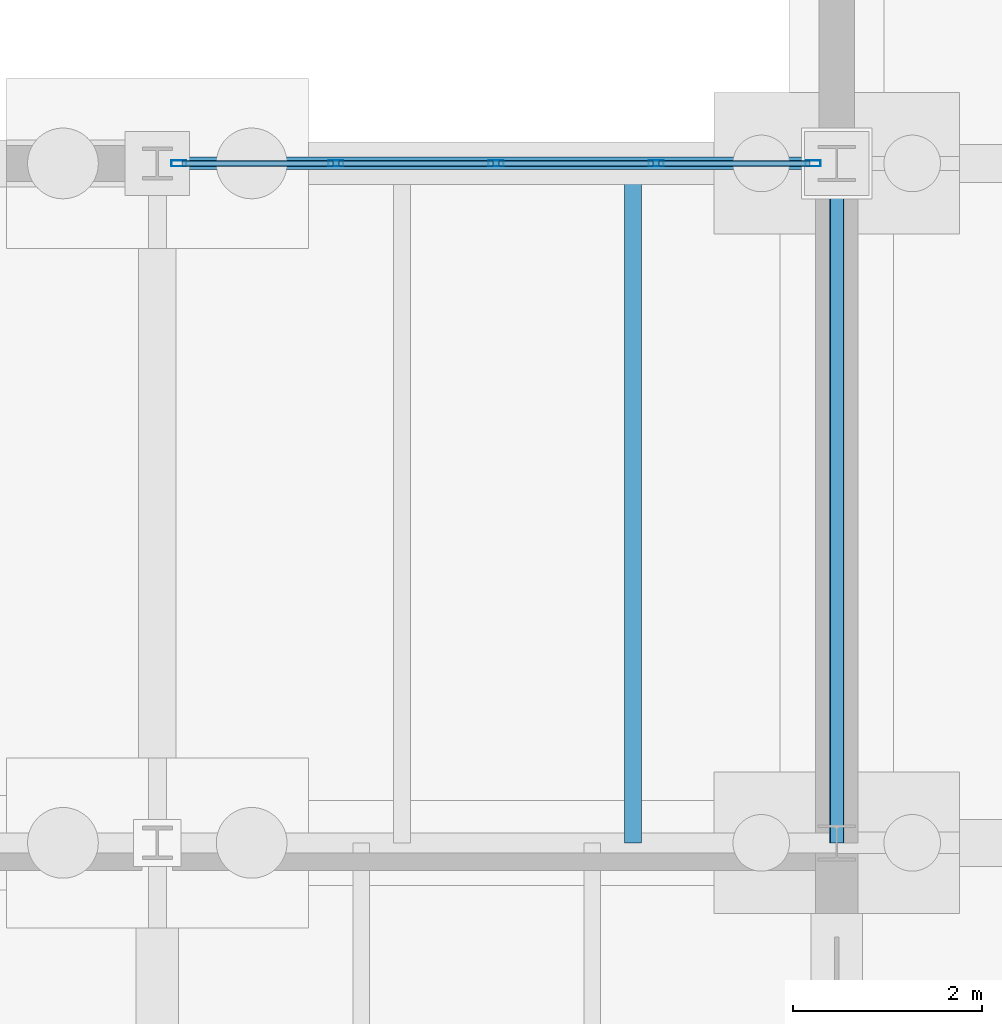
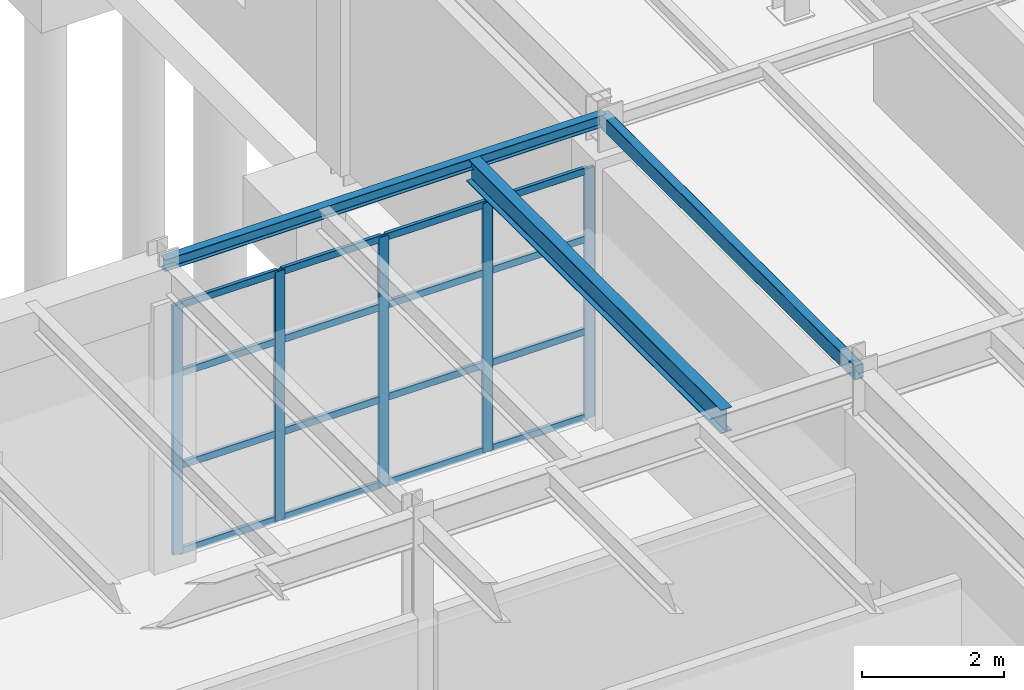
# One storey, part 160 of 293: 21 members, 3 beams, 1 element without a shape of its own.
"""IFC4 building model written with IfcOpenShell, lengths in metres."""

from ifc_helpers import new_model, si_unit, direction, frame, origin, origin_2d, place, context, subcontext, project, spatial, hollow_rectangle, i_section, extrude, material, layer, layer_set, material_profile, profile_set, type_object, element, aggregate, save


model = new_model("IFC4")

# Units and contexts
model_context = context("Model", 3, precision=1e-05, world=origin(), true_north=direction((0.0, 1.0)))
body_context = subcontext(model_context, "Body", "Model", "MODEL_VIEW")
ifc_project = project(units=[si_unit("LENGTHUNIT", "METRE"), si_unit("AREAUNIT", "SQUARE_METRE"), si_unit("VOLUMEUNIT", "CUBIC_METRE"), si_unit("PLANEANGLEUNIT", "RADIAN"), si_unit("MASSUNIT", "GRAM", prefix="KILO")], contexts=[model_context])

# Site, building, storey
site_placement = place(None, origin())
site = spatial("IfcSite", under=ifc_project, at=site_placement, CompositionType="ELEMENT")
building_placement = place(site_placement, origin())
building = spatial("IfcBuilding", under=site, at=building_placement, Name="Kemerveld Promenade Tramway Depot", CompositionType="ELEMENT")
storey_placement = place(building_placement, origin())
storey = spatial("IfcBuildingStorey", under=building, at=storey_placement, Name="L00", CompositionType="ELEMENT", Elevation=0.0)

# Beams
ifc_material_1 = material(Name="Steel S355", Category="steel")
ifc_material_profile_1 = material_profile(ifc_material_1, i_section(OverallWidth=0.13330078125, OverallDepth=0.203125, WebThickness=0.005615234375, FlangeThickness=0.0078125, FilletRadius=0.007568359375, at=origin_2d()), Name="203x133x25 UB")
ifc_profile_set_1 = profile_set([ifc_material_profile_1], Name="Steel S355")
beam_type_1 = type_object("IfcBeamType", Name="BM-G14", PredefinedType="BEAM", material=ifc_profile_set_1)
beam_1_placement = place(storey_placement, frame((151.199951171875, 28.800048828125, 5.073486328125), z_axis=(1.0, 0.0, 0.0), x_axis=(0.0, 1.0, 0.0)))
element("IfcBeam", 1, at=beam_1_placement, inside=storey, type_object=beam_type_1, Name="BMX-L00-22-23-E", PredefinedType="BEAM", context=body_context, shape_type="SweptSolid", body=[
    extrude(i_section(OverallWidth=0.13330078125, OverallDepth=0.203125, WebThickness=0.005615234375, FlangeThickness=0.0078125, FilletRadius=0.007568359375, at=origin_2d()), origin(), (0.0, 0.0, 1.0), 7.199951171875),
])
ifc_material_profile_2 = material_profile(ifc_material_1, i_section(OverallWidth=0.1787109375, OverallDepth=0.409423828125, WebThickness=0.0087890625, FlangeThickness=0.014404296875, FilletRadius=0.01025390625, at=origin_2d()), Name="406x178x67 UB")
ifc_profile_set_2 = profile_set([ifc_material_profile_2], Name="Steel S355")
beam_type_2 = type_object("IfcBeamType", Name="BM-J05", PredefinedType="JOIST", material=ifc_profile_set_2)
beam_2_placement = place(storey_placement, frame((156.239990234375, 21.60009765625, 4.97021484375), z_axis=(0.0, 1.0, 0.0), x_axis=(-1.0, 0.0, 0.0)))
element("IfcBeam", 2, at=beam_2_placement, inside=storey, type_object=beam_type_2, Name="JST-L00-22-D-2", PredefinedType="JOIST", context=body_context, shape_type="SweptSolid", body=[
    extrude(i_section(OverallWidth=0.1787109375, OverallDepth=0.409423828125, WebThickness=0.0087890625, FlangeThickness=0.014404296875, FilletRadius=0.01025390625, at=origin_2d()), origin(), (0.0, 0.0, 1.0), 7.199951171875),
])
ifc_material_profile_3 = material_profile(ifc_material_1, hollow_rectangle(XDim=0.14990234375, YDim=0.25, WallThickness=0.010009765625, InnerFilletRadius=0.0048828125, OuterFilletRadius=0.014892578125, at=origin_2d()), Name="250x150x10.0 RHS")
ifc_profile_set_3 = profile_set([ifc_material_profile_3], Name="Steel S355")
beam_type_3 = type_object("IfcBeamType", Name="BM-SP2", PredefinedType="SPANDREL", material=ifc_profile_set_3)
beam_3_placement = place(storey_placement, frame((158.39990234375, 21.60009765625, 5.050048828125), z_axis=(0.0, 1.0, 0.0), x_axis=(-1.0, 0.0, 0.0)))
element("IfcBeam", 3, at=beam_3_placement, inside=storey, type_object=beam_type_3, Name="BMY-L00-23-D-E", PredefinedType="SPANDREL", context=body_context, shape_type="SweptSolid", body=[
    extrude(hollow_rectangle(XDim=0.14990234375, YDim=0.25, WallThickness=0.010009765625, InnerFilletRadius=0.0048828125, OuterFilletRadius=0.014892578125, at=origin_2d()), origin(), (0.0, 0.0, 1.0), 7.199951171875),
])

# Curtain wall, members
ifc_material_2 = material(Name="Bronze anodised aluminium and solar glass", Category="aluminium")
ifc_layer = layer(ifc_material_2, 0.159912109375)
ifc_layer_set = layer_set([ifc_layer], Name="CW-SYS-03")
curtain_wall_type = type_object("IfcCurtainWallType", Name="CW-SYS-03", PredefinedType="USERDEFINED", material=ifc_layer_set)
curtain_wall_placement = place(storey_placement, origin())
curtain_wall = element("IfcCurtainWall", 4, at=curtain_wall_placement, inside=storey, type_object=curtain_wall_type, Name="CW-L00-V4N-14", ObjectType="GLAZED_CURTAIN_WALL", PredefinedType="USERDEFINED")
ifc_material_3 = material(Name="Bronze anodised aluminium", Category="aluminium")
ifc_material_profile_4 = material_profile(ifc_material_3, hollow_rectangle(XDim=0.06494140625, YDim=0.159912109375, WallThickness=0.00390625, InnerFilletRadius=0.001953125, OuterFilletRadius=0.00390625, at=origin_2d()), Name="CW-MUL-160x65")
ifc_profile_set_4 = profile_set([ifc_material_profile_4], Name="Bronze anodised aluminium")
member_type_1 = type_object("IfcMemberType", Name="CW-MUL-A", PredefinedType="MULLION", material=ifc_profile_set_4)
member_1_placement = place(storey_placement, frame((151.4287109375, 28.800048828125, 0.0), z_axis=(0.0, 0.0, 1.0), x_axis=(0.0, 1.0, 0.0)))
member_1 = element("IfcMember", 5, at=member_1_placement, type_object=member_type_1, Name="CW03 mullion 1", PredefinedType="MULLION", context=body_context, shape_type="SweptSolid", body=[
    extrude(hollow_rectangle(XDim=0.06494140625, YDim=0.159912109375, WallThickness=0.00390625, InnerFilletRadius=0.001953125, OuterFilletRadius=0.00390625, at=origin_2d()), origin(), (0.0, 0.0, 1.0), 4.304931640625),
])
member_2_placement = place(storey_placement, frame((153.0927734375, 28.800048828125, 0.0), z_axis=(0.0, 0.0, 1.0), x_axis=(0.0, 1.0, 0.0)))
member_2 = element("IfcMember", 6, at=member_2_placement, type_object=member_type_1, Name="CW03 mullion 2", PredefinedType="MULLION", context=body_context, shape_type="SweptSolid", body=[
    extrude(hollow_rectangle(XDim=0.06494140625, YDim=0.159912109375, WallThickness=0.00390625, InnerFilletRadius=0.001953125, OuterFilletRadius=0.00390625, at=origin_2d()), origin(), (0.0, 0.0, 1.0), 4.304931640625),
])
member_3_placement = place(storey_placement, frame((154.789306640625, 28.800048828125, 0.0), z_axis=(0.0, 0.0, 1.0), x_axis=(0.0, 1.0, 0.0)))
member_3 = element("IfcMember", 7, at=member_3_placement, type_object=member_type_1, Name="CW03 mullion 3", PredefinedType="MULLION", context=body_context, shape_type="SweptSolid", body=[
    extrude(hollow_rectangle(XDim=0.06494140625, YDim=0.159912109375, WallThickness=0.00390625, InnerFilletRadius=0.001953125, OuterFilletRadius=0.00390625, at=origin_2d()), origin(), (0.0, 0.0, 1.0), 4.304931640625),
])
member_4_placement = place(storey_placement, frame((156.486083984375, 28.800048828125, 0.0), z_axis=(0.0, 0.0, 1.0), x_axis=(0.0, 1.0, 0.0)))
member_4 = element("IfcMember", 8, at=member_4_placement, type_object=member_type_1, Name="CW03 mullion 4", PredefinedType="MULLION", context=body_context, shape_type="SweptSolid", body=[
    extrude(hollow_rectangle(XDim=0.06494140625, YDim=0.159912109375, WallThickness=0.00390625, InnerFilletRadius=0.001953125, OuterFilletRadius=0.00390625, at=origin_2d()), origin(), (0.0, 0.0, 1.0), 4.304931640625),
])
member_5_placement = place(storey_placement, frame((158.150146484375, 28.800048828125, 0.0), z_axis=(0.0, 0.0, 1.0), x_axis=(0.0, 1.0, 0.0)))
member_5 = element("IfcMember", 9, at=member_5_placement, type_object=member_type_1, Name="CW03 mullion 5", PredefinedType="MULLION", context=body_context, shape_type="SweptSolid", body=[
    extrude(hollow_rectangle(XDim=0.06494140625, YDim=0.159912109375, WallThickness=0.00390625, InnerFilletRadius=0.001953125, OuterFilletRadius=0.00390625, at=origin_2d()), origin(), (0.0, 0.0, 1.0), 4.304931640625),
])
ifc_material_profile_5 = material_profile(ifc_material_3, hollow_rectangle(XDim=0.06005859375, YDim=0.1201171875, WallThickness=0.00390625, InnerFilletRadius=0.001953125, OuterFilletRadius=0.00390625, at=origin_2d()), Name="CW-TRN-120x60")
ifc_profile_set_5 = profile_set([ifc_material_profile_5], Name="Bronze anodised aluminium")
member_type_2 = type_object("IfcMemberType", Name="CW-TRN-A", PredefinedType="USERDEFINED", material=ifc_profile_set_5)
member_6_placement = place(storey_placement, frame((151.461181640625, 28.800048828125, 0.030029296875), z_axis=(1.0, 0.0, 0.0), x_axis=(0.0, 1.0, 0.0)))
member_6 = element("IfcMember", 10, at=member_6_placement, type_object=member_type_2, Name="CW03 transom 1.1", ObjectType="TRANSOM", PredefinedType="USERDEFINED", context=body_context, shape_type="SweptSolid", body=[
    extrude(hollow_rectangle(XDim=0.06005859375, YDim=0.1201171875, WallThickness=0.00390625, InnerFilletRadius=0.001953125, OuterFilletRadius=0.00390625, at=origin_2d()), origin(), (0.0, 0.0, 1.0), 1.59912109375),
])
member_7_placement = place(storey_placement, frame((151.461181640625, 28.800048828125, 1.507080078125), z_axis=(1.0, 0.0, 0.0), x_axis=(0.0, 1.0, 0.0)))
member_7 = element("IfcMember", 11, at=member_7_placement, type_object=member_type_2, Name="CW03 transom 1.2", ObjectType="TRANSOM", PredefinedType="USERDEFINED", context=body_context, shape_type="SweptSolid", body=[
    extrude(hollow_rectangle(XDim=0.06005859375, YDim=0.1201171875, WallThickness=0.00390625, InnerFilletRadius=0.001953125, OuterFilletRadius=0.00390625, at=origin_2d()), origin(), (0.0, 0.0, 1.0), 1.59912109375),
])
member_8_placement = place(storey_placement, frame((151.461181640625, 28.800048828125, 3.10009765625), z_axis=(1.0, 0.0, 0.0), x_axis=(0.0, 1.0, 0.0)))
member_8 = element("IfcMember", 12, at=member_8_placement, type_object=member_type_2, Name="CW03 transom 1.3", ObjectType="TRANSOM", PredefinedType="USERDEFINED", context=body_context, shape_type="SweptSolid", body=[
    extrude(hollow_rectangle(XDim=0.06005859375, YDim=0.1201171875, WallThickness=0.00390625, InnerFilletRadius=0.001953125, OuterFilletRadius=0.00390625, at=origin_2d()), origin(), (0.0, 0.0, 1.0), 1.59912109375),
])
member_9_placement = place(storey_placement, frame((151.461181640625, 28.800048828125, 4.27490234375), z_axis=(1.0, 0.0, 0.0), x_axis=(0.0, 1.0, 0.0)))
member_9 = element("IfcMember", 13, at=member_9_placement, type_object=member_type_2, Name="CW03 transom 1.4", ObjectType="TRANSOM", PredefinedType="USERDEFINED", context=body_context, shape_type="SweptSolid", body=[
    extrude(hollow_rectangle(XDim=0.06005859375, YDim=0.1201171875, WallThickness=0.00390625, InnerFilletRadius=0.001953125, OuterFilletRadius=0.00390625, at=origin_2d()), origin(), (0.0, 0.0, 1.0), 1.59912109375),
])
member_10_placement = place(storey_placement, frame((153.125244140625, 28.800048828125, 0.030029296875), z_axis=(1.0, 0.0, 0.0), x_axis=(0.0, 1.0, 0.0)))
member_10 = element("IfcMember", 14, at=member_10_placement, type_object=member_type_2, Name="CW03 transom 2.1", ObjectType="TRANSOM", PredefinedType="USERDEFINED", context=body_context, shape_type="SweptSolid", body=[
    extrude(hollow_rectangle(XDim=0.06005859375, YDim=0.1201171875, WallThickness=0.00390625, InnerFilletRadius=0.001953125, OuterFilletRadius=0.00390625, at=origin_2d()), origin(), (0.0, 0.0, 1.0), 1.631591796875),
])
member_11_placement = place(storey_placement, frame((153.125244140625, 28.800048828125, 1.507080078125), z_axis=(1.0, 0.0, 0.0), x_axis=(0.0, 1.0, 0.0)))
member_11 = element("IfcMember", 15, at=member_11_placement, type_object=member_type_2, Name="CW03 transom 2.2", ObjectType="TRANSOM", PredefinedType="USERDEFINED", context=body_context, shape_type="SweptSolid", body=[
    extrude(hollow_rectangle(XDim=0.06005859375, YDim=0.1201171875, WallThickness=0.00390625, InnerFilletRadius=0.001953125, OuterFilletRadius=0.00390625, at=origin_2d()), origin(), (0.0, 0.0, 1.0), 1.631591796875),
])
member_12_placement = place(storey_placement, frame((153.125244140625, 28.800048828125, 3.10009765625), z_axis=(1.0, 0.0, 0.0), x_axis=(0.0, 1.0, 0.0)))
member_12 = element("IfcMember", 16, at=member_12_placement, type_object=member_type_2, Name="CW03 transom 2.3", ObjectType="TRANSOM", PredefinedType="USERDEFINED", context=body_context, shape_type="SweptSolid", body=[
    extrude(hollow_rectangle(XDim=0.06005859375, YDim=0.1201171875, WallThickness=0.00390625, InnerFilletRadius=0.001953125, OuterFilletRadius=0.00390625, at=origin_2d()), origin(), (0.0, 0.0, 1.0), 1.631591796875),
])
member_13_placement = place(storey_placement, frame((153.125244140625, 28.800048828125, 4.27490234375), z_axis=(1.0, 0.0, 0.0), x_axis=(0.0, 1.0, 0.0)))
member_13 = element("IfcMember", 17, at=member_13_placement, type_object=member_type_2, Name="CW03 transom 2.4", ObjectType="TRANSOM", PredefinedType="USERDEFINED", context=body_context, shape_type="SweptSolid", body=[
    extrude(hollow_rectangle(XDim=0.06005859375, YDim=0.1201171875, WallThickness=0.00390625, InnerFilletRadius=0.001953125, OuterFilletRadius=0.00390625, at=origin_2d()), origin(), (0.0, 0.0, 1.0), 1.631591796875),
])
member_14_placement = place(storey_placement, frame((154.822021484375, 28.800048828125, 0.030029296875), z_axis=(1.0, 0.0, 0.0), x_axis=(0.0, 1.0, 0.0)))
member_14 = element("IfcMember", 18, at=member_14_placement, type_object=member_type_2, Name="CW03 transom 3.1", ObjectType="TRANSOM", PredefinedType="USERDEFINED", context=body_context, shape_type="SweptSolid", body=[
    extrude(hollow_rectangle(XDim=0.06005859375, YDim=0.1201171875, WallThickness=0.00390625, InnerFilletRadius=0.001953125, OuterFilletRadius=0.00390625, at=origin_2d()), origin(), (0.0, 0.0, 1.0), 1.631591796875),
])
member_15_placement = place(storey_placement, frame((154.822021484375, 28.800048828125, 1.507080078125), z_axis=(1.0, 0.0, 0.0), x_axis=(0.0, 1.0, 0.0)))
member_15 = element("IfcMember", 19, at=member_15_placement, type_object=member_type_2, Name="CW03 transom 3.2", ObjectType="TRANSOM", PredefinedType="USERDEFINED", context=body_context, shape_type="SweptSolid", body=[
    extrude(hollow_rectangle(XDim=0.06005859375, YDim=0.1201171875, WallThickness=0.00390625, InnerFilletRadius=0.001953125, OuterFilletRadius=0.00390625, at=origin_2d()), origin(), (0.0, 0.0, 1.0), 1.631591796875),
])
member_16_placement = place(storey_placement, frame((154.822021484375, 28.800048828125, 3.10009765625), z_axis=(1.0, 0.0, 0.0), x_axis=(0.0, 1.0, 0.0)))
member_16 = element("IfcMember", 20, at=member_16_placement, type_object=member_type_2, Name="CW03 transom 3.3", ObjectType="TRANSOM", PredefinedType="USERDEFINED", context=body_context, shape_type="SweptSolid", body=[
    extrude(hollow_rectangle(XDim=0.06005859375, YDim=0.1201171875, WallThickness=0.00390625, InnerFilletRadius=0.001953125, OuterFilletRadius=0.00390625, at=origin_2d()), origin(), (0.0, 0.0, 1.0), 1.631591796875),
])
member_17_placement = place(storey_placement, frame((154.822021484375, 28.800048828125, 4.27490234375), z_axis=(1.0, 0.0, 0.0), x_axis=(0.0, 1.0, 0.0)))
member_17 = element("IfcMember", 21, at=member_17_placement, type_object=member_type_2, Name="CW03 transom 3.4", ObjectType="TRANSOM", PredefinedType="USERDEFINED", context=body_context, shape_type="SweptSolid", body=[
    extrude(hollow_rectangle(XDim=0.06005859375, YDim=0.1201171875, WallThickness=0.00390625, InnerFilletRadius=0.001953125, OuterFilletRadius=0.00390625, at=origin_2d()), origin(), (0.0, 0.0, 1.0), 1.631591796875),
])
member_18_placement = place(storey_placement, frame((156.5185546875, 28.800048828125, 0.030029296875), z_axis=(1.0, 0.0, 0.0), x_axis=(0.0, 1.0, 0.0)))
member_18 = element("IfcMember", 22, at=member_18_placement, type_object=member_type_2, Name="CW03 transom 4.1", ObjectType="TRANSOM", PredefinedType="USERDEFINED", context=body_context, shape_type="SweptSolid", body=[
    extrude(hollow_rectangle(XDim=0.06005859375, YDim=0.1201171875, WallThickness=0.00390625, InnerFilletRadius=0.001953125, OuterFilletRadius=0.00390625, at=origin_2d()), origin(), (0.0, 0.0, 1.0), 1.59912109375),
])
member_19_placement = place(storey_placement, frame((156.5185546875, 28.800048828125, 1.507080078125), z_axis=(1.0, 0.0, 0.0), x_axis=(0.0, 1.0, 0.0)))
member_19 = element("IfcMember", 23, at=member_19_placement, type_object=member_type_2, Name="CW03 transom 4.2", ObjectType="TRANSOM", PredefinedType="USERDEFINED", context=body_context, shape_type="SweptSolid", body=[
    extrude(hollow_rectangle(XDim=0.06005859375, YDim=0.1201171875, WallThickness=0.00390625, InnerFilletRadius=0.001953125, OuterFilletRadius=0.00390625, at=origin_2d()), origin(), (0.0, 0.0, 1.0), 1.59912109375),
])
member_20_placement = place(storey_placement, frame((156.5185546875, 28.800048828125, 3.10009765625), z_axis=(1.0, 0.0, 0.0), x_axis=(0.0, 1.0, 0.0)))
member_20 = element("IfcMember", 24, at=member_20_placement, type_object=member_type_2, Name="CW03 transom 4.3", ObjectType="TRANSOM", PredefinedType="USERDEFINED", context=body_context, shape_type="SweptSolid", body=[
    extrude(hollow_rectangle(XDim=0.06005859375, YDim=0.1201171875, WallThickness=0.00390625, InnerFilletRadius=0.001953125, OuterFilletRadius=0.00390625, at=origin_2d()), origin(), (0.0, 0.0, 1.0), 1.59912109375),
])
member_21_placement = place(storey_placement, frame((156.5185546875, 28.800048828125, 4.27490234375), z_axis=(1.0, 0.0, 0.0), x_axis=(0.0, 1.0, 0.0)))
member_21 = element("IfcMember", 25, at=member_21_placement, type_object=member_type_2, Name="CW03 transom 4.4", ObjectType="TRANSOM", PredefinedType="USERDEFINED", context=body_context, shape_type="SweptSolid", body=[
    extrude(hollow_rectangle(XDim=0.06005859375, YDim=0.1201171875, WallThickness=0.00390625, InnerFilletRadius=0.001953125, OuterFilletRadius=0.00390625, at=origin_2d()), origin(), (0.0, 0.0, 1.0), 1.59912109375),
])
aggregate(curtain_wall, [member_1, member_2, member_3, member_4, member_5, member_6, member_7, member_8, member_9, member_10, member_11, member_12, member_13, member_14, member_15, member_16, member_17, member_18, member_19, member_20, member_21])

save(model, "model.ifc")
